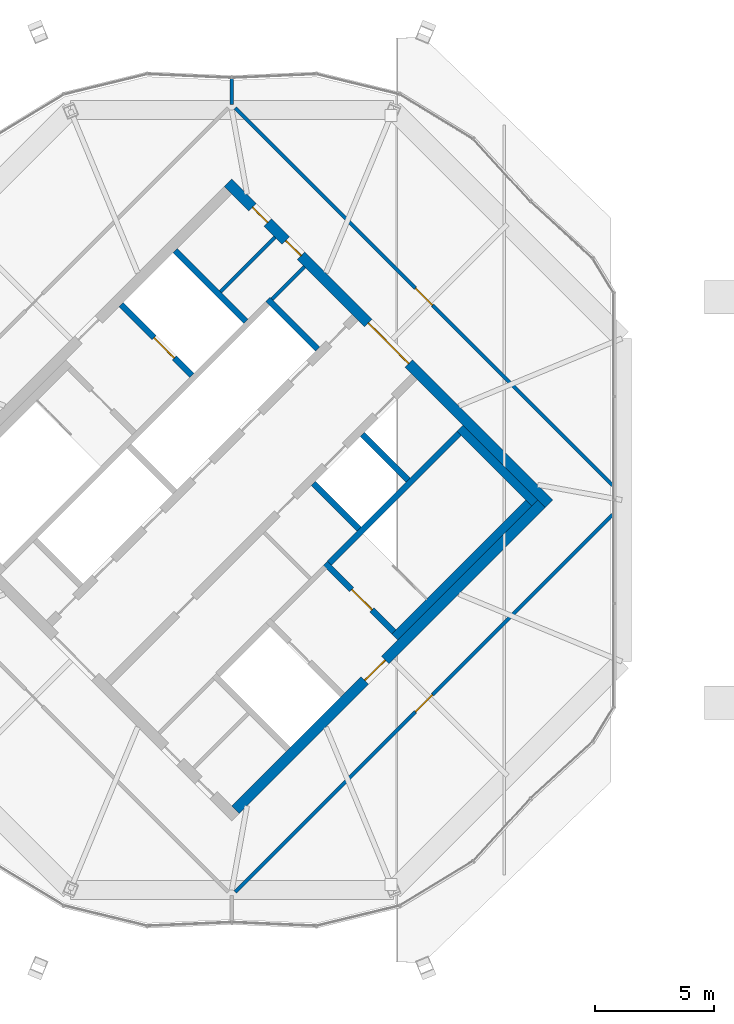
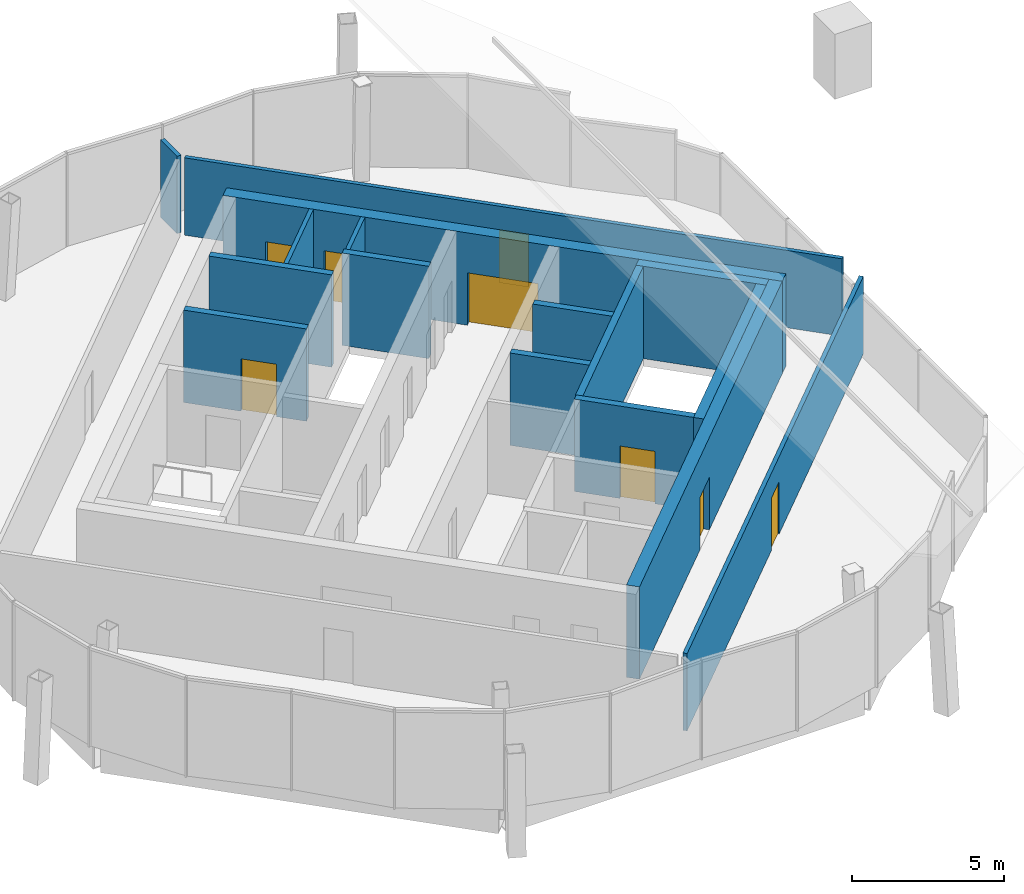
# One storey, part 22 of 23: 16 walls, 8 doors, 8 openings.
"""IFC4 building model written with IfcOpenShell, lengths in metres."""

from ifc_helpers import new_model, si_unit, direction, frame, frame_2d, origin, place, context, subcontext, project, spatial, rectangle, extrude, material, layer, layer_set, type_object, element, fill, save


model = new_model("IFC4")

# Units and contexts
model_context = context("Model", 3, precision=1e-05, world=origin(), true_north=direction((0.0, 1.0)))
body_context = subcontext(model_context, "Body", "Model", "MODEL_VIEW")
ifc_project = project(units=[si_unit("LENGTHUNIT", "METRE"), si_unit("AREAUNIT", "SQUARE_METRE"), si_unit("VOLUMEUNIT", "CUBIC_METRE"), si_unit("PLANEANGLEUNIT", "RADIAN"), si_unit("MASSUNIT", "GRAM", prefix="KILO")], contexts=[model_context])

# Site, building, storey
site_placement = place(None, origin())
site = spatial("IfcSite", under=ifc_project, at=site_placement, CompositionType="ELEMENT")
building_placement = place(site_placement, origin())
building = spatial("IfcBuilding", under=site, at=building_placement, Name="Ogive Gate Towers", CompositionType="ELEMENT")
storey_placement = place(building_placement, frame((0.0, 0.0, 302.0)))
storey = spatial("IfcBuildingStorey", under=building, at=storey_placement, Name="L71", CompositionType="ELEMENT", Elevation=302.0)

# Wall, opening, door
ifc_material_1 = material(Name="Concrete C60/75", Category="concrete")
ifc_layer_1 = layer(ifc_material_1, 0.449951171875)
ifc_layer_set_1 = layer_set([ifc_layer_1], Name="Core wall 450 mm")
wall_type_1 = type_object("IfcWallType", Name="Core wall 450 mm", PredefinedType="SHEAR", material=ifc_layer_set_1)
wall_1_placement = place(storey_placement, frame((36.1591796875, -12.957763671875, 0.0), z_axis=(0.0, 0.0, 1.0), x_axis=(0.707106781187, 0.707106781187, 0.0)))
wall_1 = element("IfcWall", 1, at=wall_1_placement, inside=storey, type_object=wall_type_1, Name="T2 L71 Core wall 450 mm", PredefinedType="SHEAR", context=body_context, shape_type="SweptSolid", body=[
    extrude(rectangle(XDim=18.099853515625, YDim=0.449951171875, at=frame_2d((9.0498046875, 0.0))), origin(), (0.0, 0.0, 1.0), 3.699951171875),
])
opening_1_placement = place(wall_1_placement, frame((7.64990234375, 0.0, 0.0)))
opening_1 = element("IfcOpeningElement", 2, at=opening_1_placement, cuts=wall_1, Name="Opening KD-T2-L71-19", PredefinedType="OPENING", context=body_context, shape_type="SweptSolid", body=[
    extrude(rectangle(XDim=1.199951171875, YDim=2.10009765625, at=frame_2d((0.60009765625, 1.050048828125))), frame((0.0, 0.23486328125, 0.0), z_axis=(0.0, -1.0, 0.0), x_axis=(1.0, 0.0, 0.0)), (0.0, 0.0, 1.0), 0.469970703125),
])
ifc_material_2 = material(Name="Steel fire door", Category="steel")
door_type_1 = type_object("IfcDoorType", Name="Core door FD60S 1200 x 2100", OperationType="NOTDEFINED", PredefinedType="DOOR", material=ifc_material_2)
door_1_placement = place(opening_1_placement, origin())
door_1 = element("IfcDoor", 3, at=door_1_placement, inside=storey, type_object=door_type_1, Name="T2 L71 Fire-fighting lobby door", OperationType="SINGLE_SWING_RIGHT", OverallHeight=2.10009765625, OverallWidth=1.199951171875, PredefinedType="DOOR", context=body_context, shape_type="SweptSolid", body=[
    extrude(rectangle(XDim=1.199951171875, YDim=2.10009765625, at=frame_2d((0.60009765625, 1.050048828125))), frame((0.0, 0.02490234375, 0.0), z_axis=(0.0, -1.0, 0.0), x_axis=(1.0, 0.0, 0.0)), (0.0, 0.0, 1.0), 0.050048828125),
])
fill(opening_1, door_1)

# Wall, openings, doors
wall_2_placement = place(storey_placement, frame((49.27587890625, -0.1591796875, 0.0), z_axis=(0.0, 0.0, 1.0), x_axis=(-0.707106781187, 0.707106781187, 0.0)))
wall_2 = element("IfcWall", 4, at=wall_2_placement, inside=storey, type_object=wall_type_1, Name="T2 L71 Core wall 450 mm", PredefinedType="SHEAR", context=body_context, shape_type="SweptSolid", body=[
    extrude(rectangle(XDim=19.0, YDim=0.449951171875, at=frame_2d((9.5, 0.0))), origin(), (0.0, 0.0, 1.0), 3.699951171875),
])
opening_2_placement = place(wall_2_placement, frame((8.300048828125, 0.0, 0.0)))
opening_2 = element("IfcOpeningElement", 5, at=opening_2_placement, cuts=wall_2, Name="Opening KD-T2-L71-02", PredefinedType="OPENING", context=body_context, shape_type="SweptSolid", body=[
    extrude(rectangle(XDim=2.39990234375, YDim=2.10009765625, at=frame_2d((1.199951171875, 1.050048828125))), frame((0.0, 0.23486328125, 0.0), z_axis=(0.0, -1.0, 0.0), x_axis=(1.0, 0.0, 0.0)), (0.0, 0.0, 1.0), 0.469970703125),
])
opening_3_placement = place(wall_2_placement, frame((14.675048828125, 0.0, 0.0)))
opening_3 = element("IfcOpeningElement", 6, at=opening_3_placement, cuts=wall_2, Name="Opening KD-T2-L71-20", PredefinedType="OPENING", context=body_context, shape_type="SweptSolid", body=[
    extrude(rectangle(XDim=0.89990234375, YDim=2.10009765625, at=frame_2d((0.449951171875, 1.050048828125))), frame((0.0, 0.23486328125, 0.0), z_axis=(0.0, -1.0, 0.0), x_axis=(1.0, 0.0, 0.0)), (0.0, 0.0, 1.0), 0.469970703125),
])
opening_4_placement = place(wall_2_placement, frame((16.64990234375, 0.0, 0.0)))
opening_4 = element("IfcOpeningElement", 7, at=opening_4_placement, cuts=wall_2, Name="Opening KD-T2-L71-21", PredefinedType="OPENING", context=body_context, shape_type="SweptSolid", body=[
    extrude(rectangle(XDim=0.89990234375, YDim=2.10009765625, at=frame_2d((0.449951171875, 1.050048828125))), frame((0.0, 0.23486328125, 0.0), z_axis=(0.0, -1.0, 0.0), x_axis=(1.0, 0.0, 0.0)), (0.0, 0.0, 1.0), 0.469970703125),
])
door_type_2 = type_object("IfcDoorType", Name="Core door FD60S 900 x 2100", OperationType="NOTDEFINED", PredefinedType="DOOR", material=ifc_material_2)
door_2_placement = place(opening_3_placement, origin())
door_2 = element("IfcDoor", 8, at=door_2_placement, inside=storey, type_object=door_type_2, Name="T2 L71 Core door", OperationType="SINGLE_SWING_LEFT", OverallHeight=2.10009765625, OverallWidth=0.89990234375, PredefinedType="DOOR", context=body_context, shape_type="SweptSolid", body=[
    extrude(rectangle(XDim=0.89990234375, YDim=2.10009765625, at=frame_2d((0.449951171875, 1.050048828125))), frame((0.0, 0.02490234375, 0.0), z_axis=(0.0, -1.0, 0.0), x_axis=(1.0, 0.0, 0.0)), (0.0, 0.0, 1.0), 0.050048828125),
])
fill(opening_3, door_2)
door_3_placement = place(opening_4_placement, origin())
door_3 = element("IfcDoor", 9, at=door_3_placement, inside=storey, type_object=door_type_2, Name="T2 L71 Core door", OperationType="SINGLE_SWING_RIGHT", OverallHeight=2.10009765625, OverallWidth=0.89990234375, PredefinedType="DOOR", context=body_context, shape_type="SweptSolid", body=[
    extrude(rectangle(XDim=0.89990234375, YDim=2.10009765625, at=frame_2d((0.449951171875, 1.050048828125))), frame((0.0, 0.02490234375, 0.0), z_axis=(0.0, -1.0, 0.0), x_axis=(1.0, 0.0, 0.0)), (0.0, 0.0, 1.0), 0.050048828125),
])
fill(opening_4, door_3)
door_type_3 = type_object("IfcDoorType", Name="Core double door FD60S 2400 x 2100", OperationType="DOUBLE_DOOR_SINGLE_SWING", PredefinedType="DOOR", material=ifc_material_2)
door_4_placement = place(opening_2_placement, origin())
door_4 = element("IfcDoor", 10, at=door_4_placement, inside=storey, type_object=door_type_3, Name="T2 L71 Core door double", OperationType="DOUBLE_DOOR_SINGLE_SWING", OverallHeight=2.10009765625, OverallWidth=2.39990234375, PredefinedType="DOOR", context=body_context, shape_type="SweptSolid", body=[
    extrude(rectangle(XDim=2.39990234375, YDim=2.10009765625, at=frame_2d((1.199951171875, 1.050048828125))), frame((0.0, 0.02490234375, 0.0), z_axis=(0.0, -1.0, 0.0), x_axis=(1.0, 0.0, 0.0)), (0.0, 0.0, 1.0), 0.050048828125),
])
fill(opening_2, door_4)

# Wall
ifc_material_3 = material(Name="Fire-rated gypsum board partition")
ifc_layer_2 = layer(ifc_material_3, 0.14990234375)
ifc_layer_set_2 = layer_set([ifc_layer_2], Name="Partition wall 150")
wall_type_2 = type_object("IfcWallType", Name="Partition wall 150", PredefinedType="PARTITIONING", material=ifc_layer_set_2)
wall_3_placement = place(storey_placement, frame((36.0, 16.54638671875, 0.0), z_axis=(0.0, 0.0, 1.0), x_axis=(0.0, 1.0, 0.0)))
element("IfcWall", 11, at=wall_3_placement, inside=storey, type_object=wall_type_2, Name="L71 partition 001", PredefinedType="PARTITIONING", context=body_context, shape_type="SweptSolid", body=[
    extrude(rectangle(XDim=1.088623046875, YDim=0.14990234375, at=frame_2d((0.54443359375, 0.0))), origin(), (0.0, 0.0, 1.0), 3.10009765625),
])

# Wall, opening, door
wall_4_placement = place(storey_placement, frame((51.940673828125, 0.605712890625, 0.0), z_axis=(0.0, 0.0, 1.0), x_axis=(-0.707112244529, 0.707101317802, 0.0)))
wall_4 = element("IfcWall", 12, at=wall_4_placement, inside=storey, type_object=wall_type_2, Name="L71 partition 002", PredefinedType="PARTITIONING", context=body_context, shape_type="SweptSolid", body=[
    extrude(rectangle(XDim=22.343505859375, YDim=0.14990234375, at=frame_2d((11.171875, 0.0))), origin(), (0.0, 0.0, 1.0), 3.10009765625),
])
opening_5_placement = place(wall_4_placement, frame((10.671630859375, 0.0, 0.0)))
opening_5 = element("IfcOpeningElement", 13, at=opening_5_placement, cuts=wall_4, Name="Opening PO330", PredefinedType="OPENING", context=body_context, shape_type="SweptSolid", body=[
    extrude(rectangle(XDim=1.0, YDim=2.10009765625, at=frame_2d((0.5, 1.050048828125))), frame((0.0, 0.0849609375, 0.0), z_axis=(0.0, -1.0, 0.0), x_axis=(1.0, 0.0, 0.0)), (0.0, 0.0, 1.0), 0.169921875),
])
door_type_4 = type_object("IfcDoorType", Name="Interior fire door FD60S 1000 x 2100", OperationType="NOTDEFINED", PredefinedType="DOOR", material=ifc_material_2)
door_5_placement = place(opening_5_placement, origin())
door_5 = element("IfcDoor", 14, at=door_5_placement, inside=storey, type_object=door_type_4, Name="Door PO330", OperationType="SINGLE_SWING_RIGHT", OverallHeight=2.10009765625, OverallWidth=1.0, PredefinedType="DOOR", context=body_context, shape_type="SweptSolid", body=[
    extrude(rectangle(XDim=1.0, YDim=2.10009765625, at=frame_2d((0.5, 1.050048828125))), frame((0.0, 0.02490234375, 0.0), z_axis=(0.0, -1.0, 0.0), x_axis=(1.0, 0.0, 0.0)), (0.0, 0.0, 1.0), 0.050048828125),
])
fill(opening_5, door_5)

wall_5_placement = place(storey_placement, frame((36.141357421875, -16.40478515625, 0.0), z_axis=(0.0, 0.0, 1.0), x_axis=(0.707112244529, 0.707101317802, 0.0)))
wall_5 = element("IfcWall", 15, at=wall_5_placement, inside=storey, type_object=wall_type_2, Name="L71 partition 007", PredefinedType="PARTITIONING", context=body_context, shape_type="SweptSolid", body=[
    extrude(rectangle(XDim=22.343505859375, YDim=0.14990234375, at=frame_2d((11.171875, 0.0))), origin(), (0.0, 0.0, 1.0), 3.10009765625),
])
opening_6_placement = place(wall_5_placement, frame((10.671630859375, 0.0, 0.0)))
opening_6 = element("IfcOpeningElement", 16, at=opening_6_placement, cuts=wall_5, Name="Opening PO333", PredefinedType="OPENING", context=body_context, shape_type="SweptSolid", body=[
    extrude(rectangle(XDim=1.0, YDim=2.10009765625, at=frame_2d((0.5, 1.050048828125))), frame((0.0, 0.0849609375, 0.0), z_axis=(0.0, -1.0, 0.0), x_axis=(1.0, 0.0, 0.0)), (0.0, 0.0, 1.0), 0.169921875),
])
door_6_placement = place(opening_6_placement, origin())
door_6 = element("IfcDoor", 17, at=door_6_placement, inside=storey, type_object=door_type_4, Name="Door PO333", OperationType="SINGLE_SWING_LEFT", OverallHeight=2.10009765625, OverallWidth=1.0, PredefinedType="DOOR", context=body_context, shape_type="SweptSolid", body=[
    extrude(rectangle(XDim=1.0, YDim=2.10009765625, at=frame_2d((0.5, 1.050048828125))), frame((0.0, 0.02490234375, 0.0), z_axis=(0.0, -1.0, 0.0), x_axis=(1.0, 0.0, 0.0)), (0.0, 0.0, 1.0), 0.050048828125),
])
fill(opening_6, door_6)

# Walls
ifc_material_4 = material(Name="Gypsum board partition")
ifc_layer_3 = layer(ifc_material_4, 0.14990234375)
ifc_layer_set_3 = layer_set([ifc_layer_3], Name="Room partition 150 mm")
wall_type_3 = type_object("IfcWallType", Name="Room partition 150 mm", PredefinedType="PARTITIONING", material=ifc_layer_set_3)
wall_6_placement = place(storey_placement, frame((37.679443359375, 8.39697265625, 0.0), z_axis=(0.0, 0.0, 1.0), x_axis=(0.707106781187, 0.707106781187, 0.0)))
element("IfcWall", 18, at=wall_6_placement, inside=storey, type_object=wall_type_3, Name="T2 L71 Room partition 150 mm", PredefinedType="PARTITIONING", context=body_context, shape_type="SweptSolid", body=[
    extrude(rectangle(XDim=1.9248046875, YDim=0.14990234375, at=frame_2d((0.96240234375, 0.0))), origin(), (0.0, 0.0, 1.0), 3.699951171875),
])
wall_7_placement = place(storey_placement, frame((35.522705078125, 8.715087890625, 0.0), z_axis=(0.0, 0.0, 1.0), x_axis=(0.707068928518, 0.707144631829, 0.0)))
element("IfcWall", 19, at=wall_7_placement, inside=storey, type_object=wall_type_3, Name="T2 L71 Room partition 150 mm", PredefinedType="PARTITIONING", context=body_context, shape_type="SweptSolid", body=[
    extrude(rectangle(XDim=3.224853515625, YDim=0.14990234375, at=frame_2d((1.6123046875, 0.0))), origin(), (0.0, 0.0, 1.0), 3.699951171875),
])
ifc_layer_4 = layer(ifc_material_1, 0.25)
ifc_layer_set_4 = layer_set([ifc_layer_4], Name="Shaft wall 250 mm")
wall_type_4 = type_object("IfcWallType", Name="Shaft wall 250 mm", PredefinedType="SHEAR", material=ifc_layer_set_4)
wall_8_placement = place(storey_placement, frame((40.08349609375, -2.634033203125, 0.0), z_axis=(0.0, 0.0, 1.0), x_axis=(0.707090876314, 0.707122685701, 0.0)))
element("IfcWall", 20, at=wall_8_placement, inside=storey, type_object=wall_type_4, Name="T2 L71 Shaft wall 250 mm", PredefinedType="SHEAR", context=body_context, shape_type="SweptSolid", body=[
    extrude(rectangle(XDim=7.675048828125, YDim=0.25, at=frame_2d((3.83740234375, 0.0))), origin(), (0.0, 0.0, 1.0), 3.699951171875),
])

# Wall, opening, door
wall_9_placement = place(storey_placement, frame((42.7880859375, -5.515380859375, 0.0), z_axis=(0.0, 0.0, 1.0), x_axis=(-0.707106781187, 0.707106781187, 0.0)))
wall_9 = element("IfcWall", 21, at=wall_9_placement, inside=storey, type_object=wall_type_4, Name="T2 L71 Shaft wall 250 mm", PredefinedType="SHEAR", context=body_context, shape_type="SweptSolid", body=[
    extrude(rectangle(XDim=4.050048828125, YDim=0.25, at=frame_2d((2.02490234375, 0.0))), origin(), (0.0, 0.0, 1.0), 3.699951171875),
])
opening_7_placement = place(wall_9_placement, frame((1.300048828125, 0.0, 0.0)))
opening_7 = element("IfcOpeningElement", 22, at=opening_7_placement, cuts=wall_9, Name="Opening KD-T2-L71-17", PredefinedType="OPENING", context=body_context, shape_type="SweptSolid", body=[
    extrude(rectangle(XDim=1.199951171875, YDim=2.10009765625, at=frame_2d((0.60009765625, 1.050048828125))), frame((0.0, 0.135009765625, 0.0), z_axis=(0.0, -1.0, 0.0), x_axis=(1.0, 0.0, 0.0)), (0.0, 0.0, 1.0), 0.27001953125),
])
door_7_placement = place(opening_7_placement, origin())
door_7 = element("IfcDoor", 23, at=door_7_placement, inside=storey, type_object=door_type_1, Name="T2 L71 Stair door", OperationType="SINGLE_SWING_RIGHT", OverallHeight=2.10009765625, OverallWidth=1.199951171875, PredefinedType="DOOR", context=body_context, shape_type="SweptSolid", body=[
    extrude(rectangle(XDim=1.199951171875, YDim=2.10009765625, at=frame_2d((0.60009765625, 1.050048828125))), frame((0.0, 0.02490234375, 0.0), z_axis=(0.0, -1.0, 0.0), x_axis=(1.0, 0.0, 0.0)), (0.0, 0.0, 1.0), 0.050048828125),
])
fill(opening_7, door_7)

wall_10_placement = place(storey_placement, frame((34.320556640625, 5.21484375, 0.0), z_axis=(0.0, 0.0, 1.0), x_axis=(-0.707106781187, 0.707106781187, 0.0)))
wall_10 = element("IfcWall", 24, at=wall_10_placement, inside=storey, type_object=wall_type_4, Name="T2 L71 Shaft wall 250 mm", PredefinedType="SHEAR", context=body_context, shape_type="SweptSolid", body=[
    extrude(rectangle(XDim=4.175048828125, YDim=0.25, at=frame_2d((2.08740234375, 0.0))), origin(), (0.0, 0.0, 1.0), 3.699951171875),
])
opening_8_placement = place(wall_10_placement, frame((1.02490234375, 0.0, 0.0)))
opening_8 = element("IfcOpeningElement", 25, at=opening_8_placement, cuts=wall_10, Name="Opening LD-T2-L71-12", PredefinedType="OPENING", context=body_context, shape_type="SweptSolid", body=[
    extrude(rectangle(XDim=1.199951171875, YDim=2.10009765625, at=frame_2d((0.60009765625, 1.050048828125))), frame((0.0, 0.135009765625, 0.0), z_axis=(0.0, -1.0, 0.0), x_axis=(1.0, 0.0, 0.0)), (0.0, 0.0, 1.0), 0.27001953125),
])
ifc_material_5 = material(Name="Stainless steel landing door", Category="steel")
door_type_5 = type_object("IfcDoorType", Name="Landing door 1200 x 2100", OperationType="SLIDING_TO_LEFT", PredefinedType="DOOR", material=ifc_material_5)
door_8_placement = place(opening_8_placement, origin())
door_8 = element("IfcDoor", 26, at=door_8_placement, inside=storey, type_object=door_type_5, Name="T2 L71 Lift landing door FF1", OperationType="SLIDING_TO_LEFT", OverallHeight=2.10009765625, OverallWidth=1.199951171875, PredefinedType="DOOR", context=body_context, shape_type="SweptSolid", body=[
    extrude(rectangle(XDim=1.199951171875, YDim=2.10009765625, at=frame_2d((0.60009765625, 1.050048828125))), frame((0.0, 0.02490234375, 0.0), z_axis=(0.0, -1.0, 0.0), x_axis=(1.0, 0.0, 0.0)), (0.0, 0.0, 1.0), 0.050048828125),
])
fill(opening_8, door_8)

# Walls
wall_11_placement = place(storey_placement, frame((41.321044921875, -1.2197265625, 0.0), z_axis=(0.0, 0.0, 1.0), x_axis=(-0.707106781187, 0.707106781187, 0.0)))
element("IfcWall", 27, at=wall_11_placement, inside=storey, type_object=wall_type_4, Name="T2 L71 Shaft wall 250 mm", PredefinedType="SHEAR", context=body_context, shape_type="SweptSolid", body=[
    extrude(rectangle(XDim=2.699951171875, YDim=0.25, at=frame_2d((1.35009765625, 0.0))), origin(), (0.0, 0.0, 1.0), 3.699951171875),
])
wall_12_placement = place(storey_placement, frame((36.58349609375, 7.477783203125, 0.0), z_axis=(0.0, 0.0, 1.0), x_axis=(-0.707165256008, 0.707048301529, 0.0)))
element("IfcWall", 28, at=wall_12_placement, inside=storey, type_object=wall_type_4, Name="T2 L71 Shaft wall 250 mm", PredefinedType="SHEAR", context=body_context, shape_type="SweptSolid", body=[
    extrude(rectangle(XDim=4.175048828125, YDim=0.25, at=frame_2d((2.08740234375, 0.0))), origin(), (0.0, 0.0, 1.0), 3.699951171875),
])
wall_13_placement = place(storey_placement, frame((43.37158203125, 0.830810546875, 0.0), z_axis=(0.0, 0.0, 1.0), x_axis=(-0.707106781187, 0.707106781187, 0.0)))
element("IfcWall", 29, at=wall_13_placement, inside=storey, type_object=wall_type_4, Name="T2 L71 Shaft wall 250 mm", PredefinedType="SHEAR", context=body_context, shape_type="SweptSolid", body=[
    extrude(rectangle(XDim=2.699951171875, YDim=0.25, at=frame_2d((1.35009765625, 0.0))), origin(), (0.0, 0.0, 1.0), 3.699951171875),
])
wall_14_placement = place(storey_placement, frame((39.588623046875, 6.310791015625, 0.0), z_axis=(0.0, 0.0, 1.0), x_axis=(-0.707065402085, 0.707148157867, 0.0)))
element("IfcWall", 30, at=wall_14_placement, inside=storey, type_object=wall_type_4, Name="T2 L71 Shaft wall 250 mm", PredefinedType="SHEAR", context=body_context, shape_type="SweptSolid", body=[
    extrude(rectangle(XDim=2.9501953125, YDim=0.25, at=frame_2d((1.47509765625, 0.0))), origin(), (0.0, 0.0, 1.0), 3.699951171875),
])
ifc_layer_5 = layer(ifc_material_1, 0.35009765625)
ifc_layer_set_5 = layer_set([ifc_layer_5], Name="Stair wall 350 mm")
wall_type_5 = type_object("IfcWallType", Name="Stair wall 350 mm", PredefinedType="SHEAR", material=ifc_layer_set_5)
wall_15_placement = place(storey_placement, frame((42.823486328125, -5.7275390625, 0.0), z_axis=(0.0, 0.0, 1.0), x_axis=(0.707122184046, 0.707091377991, 0.0)))
element("IfcWall", 31, at=wall_15_placement, inside=storey, type_object=wall_type_5, Name="T2 L71 Stair wall 350 mm", PredefinedType="SHEAR", context=body_context, shape_type="SweptSolid", body=[
    extrude(rectangle(XDim=7.925048828125, YDim=0.35009765625, at=frame_2d((3.96240234375, 0.0))), origin(), (0.0, 0.0, 1.0), 3.699951171875),
])
wall_16_placement = place(storey_placement, frame((48.6748046875, -0.123779296875, 0.0), z_axis=(0.0, 0.0, 1.0), x_axis=(-0.707106781187, 0.707106781187, 0.0)))
element("IfcWall", 32, at=wall_16_placement, inside=storey, type_object=wall_type_5, Name="T2 L71 Stair wall 350 mm", PredefinedType="SHEAR", context=body_context, shape_type="SweptSolid", body=[
    extrude(rectangle(XDim=4.425048828125, YDim=0.35009765625, at=frame_2d((2.21240234375, 0.0))), origin(), (0.0, 0.0, 1.0), 3.699951171875),
])

save(model, "model.ifc")
